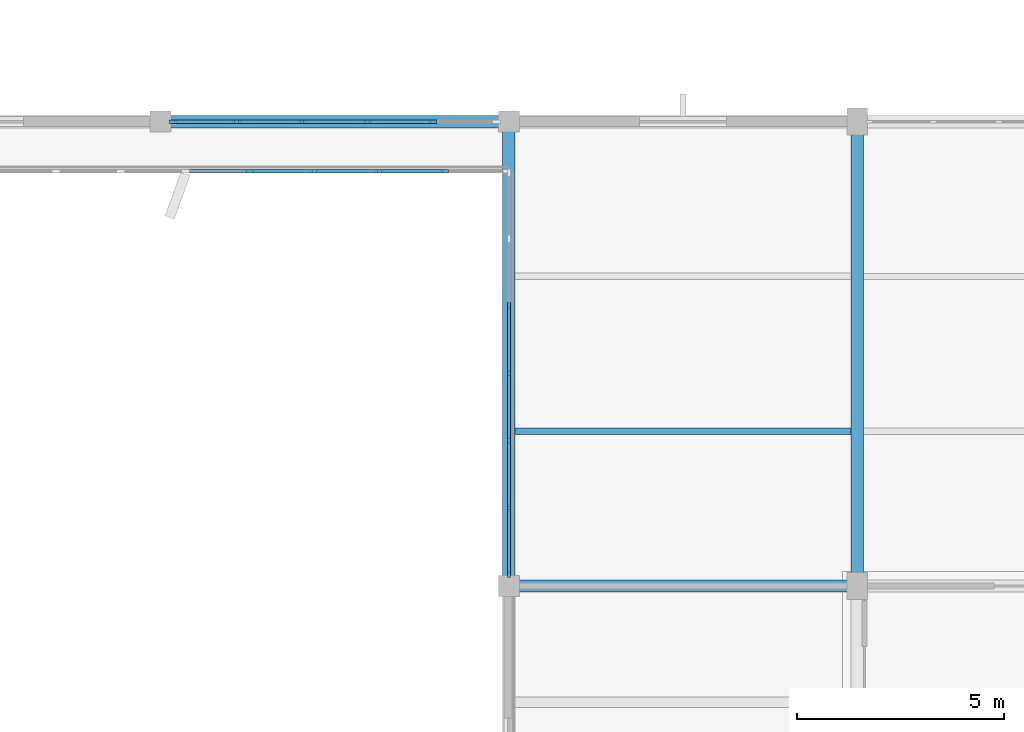
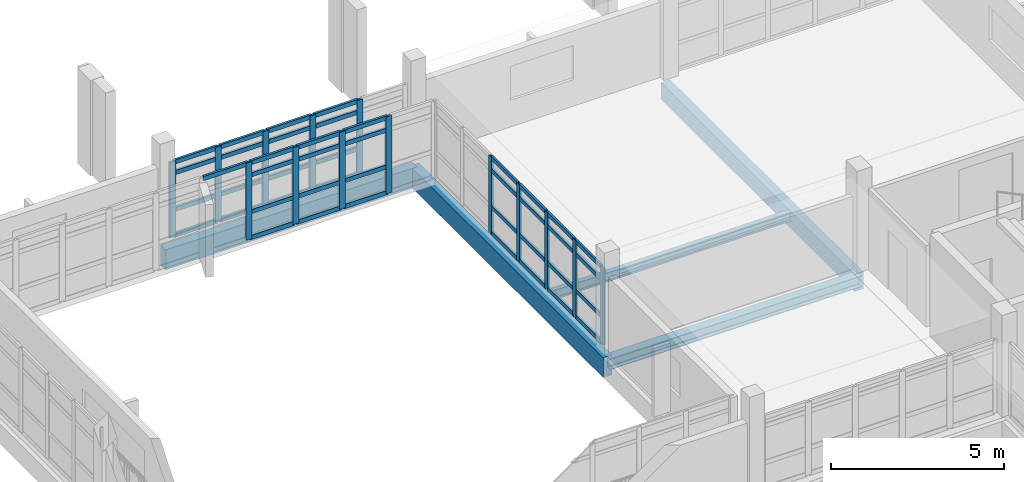
# One storey, part 35 of 104: 59 members, 5 beams, 3 elements without a shape of their own.
"""IFC4 building model written with IfcOpenShell, lengths in metres."""

from ifc_helpers import new_model, si_unit, direction, frame, origin, origin_2d, place, context, subcontext, project, spatial, rectangle, i_section, extrude, material, material_profile, profile_set, type_object, element, aggregate, save


model = new_model("IFC4")

# Units and contexts
model_context = context("Model", 3, precision=1e-05, world=origin(), true_north=direction((0.0, 1.0)))
body_context = subcontext(model_context, "Body", "Model", "MODEL_VIEW")
ifc_project = project(units=[si_unit("LENGTHUNIT", "METRE"), si_unit("AREAUNIT", "SQUARE_METRE"), si_unit("VOLUMEUNIT", "CUBIC_METRE"), si_unit("PLANEANGLEUNIT", "RADIAN"), si_unit("MASSUNIT", "GRAM", prefix="KILO")], contexts=[model_context])

# Site, building, storey
site_placement = place(None, origin())
site = spatial("IfcSite", under=ifc_project, at=site_placement, CompositionType="ELEMENT")
building_placement = place(site_placement, origin())
building = spatial("IfcBuilding", under=site, at=building_placement, Name="Vanh Quang Courtyard School", CompositionType="ELEMENT")
storey_placement = place(building_placement, frame((0.0, 0.0, 4.199951171875)))
storey = spatial("IfcBuildingStorey", under=building, at=storey_placement, Name="L01", CompositionType="ELEMENT", Elevation=4.199951171875)

# Beams
ifc_material_1 = material(Name="Concrete C35/45", Category="concrete")
ifc_material_profile_1 = material_profile(ifc_material_1, rectangle(XDim=0.300048828125, YDim=0.60009765625, at=origin_2d()), Name="RC-BM 300x600")
ifc_profile_set_1 = profile_set([ifc_material_profile_1], Name="Concrete C35/45")
beam_type_1 = type_object("IfcBeamType", Name="BM-RC-300x600", PredefinedType="BEAM", material=ifc_profile_set_1)
beam_1_placement = place(storey_placement, frame((29.39990234375, 96.60009765625, -0.579833984375), z_axis=(0.0, 1.0, 0.0), x_axis=(-1.0, 0.0, 0.0)))
element("IfcBeam", 1, at=beam_1_placement, inside=storey, type_object=beam_type_1, Name="Beam B-06 (L01)", PredefinedType="BEAM", context=body_context, shape_type="SweptSolid", body=[
    extrude(rectangle(XDim=0.300048828125, YDim=0.60009765625, at=origin_2d()), origin(), (0.0, 0.0, 1.0), 11.199951171875),
])
ifc_material_profile_2 = material_profile(ifc_material_1, rectangle(XDim=0.300048828125, YDim=0.699951171875, at=origin_2d()), Name="RC-SP 300x700")
ifc_profile_set_2 = profile_set([ifc_material_profile_2], Name="Concrete C35/45")
beam_type_2 = type_object("IfcBeamType", Name="BM-SP-300x700", PredefinedType="SPANDREL", material=ifc_profile_set_2)
beam_2_placement = place(storey_placement, frame((12.60009765625, 107.800048828125, -0.6298828125), z_axis=(1.0, 0.0, 0.0), x_axis=(0.0, 1.0, 0.0)))
element("IfcBeam", 2, at=beam_2_placement, inside=storey, type_object=beam_type_2, Name="Beam BS-01 (L01)", PredefinedType="SPANDREL", context=body_context, shape_type="SweptSolid", body=[
    extrude(rectangle(XDim=0.300048828125, YDim=0.699951171875, at=origin_2d()), origin(), (0.0, 0.0, 1.0), 8.39990234375),
])
beam_3_placement = place(storey_placement, frame((21.0, 96.60009765625, -0.6298828125), z_axis=(0.0, 1.0, 0.0), x_axis=(-1.0, 0.0, 0.0)))
element("IfcBeam", 3, at=beam_3_placement, inside=storey, type_object=beam_type_2, Name="Beam BS-01 (L01)", PredefinedType="SPANDREL", context=body_context, shape_type="SweptSolid", body=[
    extrude(rectangle(XDim=0.300048828125, YDim=0.699951171875, at=origin_2d()), origin(), (0.0, 0.0, 1.0), 11.199951171875),
])
ifc_material_2 = material(Name="Structural steel EN 10025-2 S355J2", Category="steel")
ifc_material_profile_3 = material_profile(ifc_material_2, i_section(OverallWidth=0.300048828125, OverallDepth=0.389892578125, WebThickness=0.010986328125, FlangeThickness=0.01904296875, FilletRadius=0.027099609375, at=origin_2d()), Name="HEA 400")
ifc_profile_set_3 = profile_set([ifc_material_profile_3], Name="Structural steel EN 10025-2 S355J2")
beam_type_3 = type_object("IfcBeamType", Name="BM-STL-HEA400", PredefinedType="BEAM", material=ifc_profile_set_3)
beam_4_placement = place(storey_placement, frame((21.0, 96.60009765625, -0.474853515625), z_axis=(1.0, 0.0, 0.0), x_axis=(0.0, 1.0, 0.0)))
element("IfcBeam", 4, at=beam_4_placement, inside=storey, type_object=beam_type_3, Name="Beam SB-08 (L01)", PredefinedType="BEAM", context=body_context, shape_type="SweptSolid", body=[
    extrude(i_section(OverallWidth=0.300048828125, OverallDepth=0.389892578125, WebThickness=0.010986328125, FlangeThickness=0.01904296875, FilletRadius=0.027099609375, at=origin_2d()), origin(), (0.0, 0.0, 1.0), 8.39990234375),
])

# Curtain wall, members
ifc_material_3 = material(Name="Thermally broken aluminium unitised curtain wall", Category="aluminium")
curtain_wall_type_1 = type_object("IfcCurtainWallType", Name="CW-SYS-36", PredefinedType="NOTDEFINED", material=ifc_material_3)
curtain_wall_1_placement = place(storey_placement, origin())
curtain_wall_1 = element("IfcCurtainWall", 5, at=curtain_wall_1_placement, inside=storey, type_object=curtain_wall_type_1, Name="Curtain Wall CW-36 (L01)", PredefinedType="NOTDEFINED")
ifc_material_4 = material(Name="Anodised aluminium 6063-T6", Category="aluminium")
ifc_material_profile_4 = material_profile(ifc_material_4, rectangle(XDim=0.070068359375, YDim=0.179931640625, at=origin_2d()), Name="ALU-MUL 70x180")
ifc_profile_set_4 = profile_set([ifc_material_profile_4], Name="Anodised aluminium 6063-T6")
member_type_1 = type_object("IfcMemberType", Name="CW-MUL-70x180", PredefinedType="MULLION", material=ifc_profile_set_4)
member_1_placement = place(storey_placement, frame((21.0, 96.89306640625, 0.0), z_axis=(0.0, 0.0, 1.0), x_axis=(-1.0, 0.0, 0.0)))
member_1 = element("IfcMember", 6, at=member_1_placement, type_object=member_type_1, Name="CW-36 mullion 1", PredefinedType="MULLION", context=body_context, shape_type="SweptSolid", body=[
    extrude(rectangle(XDim=0.070068359375, YDim=0.179931640625, at=origin_2d()), origin(), (0.0, 0.0, 1.0), 2.719970703125),
])
member_2_placement = place(storey_placement, frame((21.0, 98.481689453125, 0.0), z_axis=(0.0, 0.0, 1.0), x_axis=(-1.0, 0.0, 0.0)))
member_2 = element("IfcMember", 7, at=member_2_placement, type_object=member_type_1, Name="CW-36 mullion 2", PredefinedType="MULLION", context=body_context, shape_type="SweptSolid", body=[
    extrude(rectangle(XDim=0.070068359375, YDim=0.179931640625, at=origin_2d()), origin(), (0.0, 0.0, 1.0), 2.719970703125),
])
member_3_placement = place(storey_placement, frame((21.0, 100.105224609375, 0.0), z_axis=(0.0, 0.0, 1.0), x_axis=(-1.0, 0.0, 0.0)))
member_3 = element("IfcMember", 8, at=member_3_placement, type_object=member_type_1, Name="CW-36 mullion 3", PredefinedType="MULLION", context=body_context, shape_type="SweptSolid", body=[
    extrude(rectangle(XDim=0.070068359375, YDim=0.179931640625, at=origin_2d()), origin(), (0.0, 0.0, 1.0), 2.719970703125),
])
member_4_placement = place(storey_placement, frame((21.0, 101.72900390625, 0.0), z_axis=(0.0, 0.0, 1.0), x_axis=(-1.0, 0.0, 0.0)))
member_4 = element("IfcMember", 9, at=member_4_placement, type_object=member_type_1, Name="CW-36 mullion 4", PredefinedType="MULLION", context=body_context, shape_type="SweptSolid", body=[
    extrude(rectangle(XDim=0.070068359375, YDim=0.179931640625, at=origin_2d()), origin(), (0.0, 0.0, 1.0), 2.719970703125),
])
member_5_placement = place(storey_placement, frame((21.0, 103.352783203125, 0.0), z_axis=(0.0, 0.0, 1.0), x_axis=(-1.0, 0.0, 0.0)))
member_5 = element("IfcMember", 10, at=member_5_placement, type_object=member_type_1, Name="CW-36 mullion 5", PredefinedType="MULLION", context=body_context, shape_type="SweptSolid", body=[
    extrude(rectangle(XDim=0.070068359375, YDim=0.179931640625, at=origin_2d()), origin(), (0.0, 0.0, 1.0), 2.719970703125),
])

curtain_wall_type_2 = type_object("IfcCurtainWallType", Name="CW-SYS-23", PredefinedType="NOTDEFINED", material=ifc_material_3)
curtain_wall_2_placement = place(storey_placement, origin())
curtain_wall_2 = element("IfcCurtainWall", 11, at=curtain_wall_2_placement, inside=storey, type_object=curtain_wall_type_2, Name="Curtain Wall CW-23 (L01)", PredefinedType="NOTDEFINED")
ifc_material_profile_5 = material_profile(ifc_material_4, rectangle(XDim=0.080078125, YDim=0.199951171875, at=origin_2d()), Name="ALU-MUL 80x200")
ifc_profile_set_5 = profile_set([ifc_material_profile_5], Name="Anodised aluminium 6063-T6")
member_type_2 = type_object("IfcMemberType", Name="CW-MUL-80x200", PredefinedType="MULLION", material=ifc_profile_set_5)
member_6_placement = place(storey_placement, frame((12.89794921875, 107.800048828125, 0.0), z_axis=(0.0, 0.0, 1.0), x_axis=(0.0, 1.0, 0.0)))
member_6 = element("IfcMember", 12, at=member_6_placement, type_object=member_type_2, Name="CW-23 mullion 1", PredefinedType="MULLION", context=body_context, shape_type="SweptSolid", body=[
    extrude(rectangle(XDim=0.080078125, YDim=0.199951171875, at=origin_2d()), origin(), (0.0, 0.0, 1.0), 2.670166015625),
])
member_7_placement = place(storey_placement, frame((14.434814453125, 107.800048828125, 0.0), z_axis=(0.0, 0.0, 1.0), x_axis=(0.0, 1.0, 0.0)))
member_7 = element("IfcMember", 13, at=member_7_placement, type_object=member_type_2, Name="CW-23 mullion 2", PredefinedType="MULLION", context=body_context, shape_type="SweptSolid", body=[
    extrude(rectangle(XDim=0.080078125, YDim=0.199951171875, at=origin_2d()), origin(), (0.0, 0.0, 1.0), 2.670166015625),
])
member_8_placement = place(storey_placement, frame((16.01171875, 107.800048828125, 0.0), z_axis=(0.0, 0.0, 1.0), x_axis=(0.0, 1.0, 0.0)))
member_8 = element("IfcMember", 14, at=member_8_placement, type_object=member_type_2, Name="CW-23 mullion 3", PredefinedType="MULLION", context=body_context, shape_type="SweptSolid", body=[
    extrude(rectangle(XDim=0.080078125, YDim=0.199951171875, at=origin_2d()), origin(), (0.0, 0.0, 1.0), 2.670166015625),
])
member_9_placement = place(storey_placement, frame((17.58837890625, 107.800048828125, 0.0), z_axis=(0.0, 0.0, 1.0), x_axis=(0.0, 1.0, 0.0)))
member_9 = element("IfcMember", 15, at=member_9_placement, type_object=member_type_2, Name="CW-23 mullion 4", PredefinedType="MULLION", context=body_context, shape_type="SweptSolid", body=[
    extrude(rectangle(XDim=0.080078125, YDim=0.199951171875, at=origin_2d()), origin(), (0.0, 0.0, 1.0), 2.670166015625),
])
member_10_placement = place(storey_placement, frame((19.165283203125, 107.800048828125, 0.0), z_axis=(0.0, 0.0, 1.0), x_axis=(0.0, 1.0, 0.0)))
member_10 = element("IfcMember", 16, at=member_10_placement, type_object=member_type_2, Name="CW-23 mullion 5", PredefinedType="MULLION", context=body_context, shape_type="SweptSolid", body=[
    extrude(rectangle(XDim=0.080078125, YDim=0.199951171875, at=origin_2d()), origin(), (0.0, 0.0, 1.0), 2.670166015625),
])

curtain_wall_type_3 = type_object("IfcCurtainWallType", Name="CW-SYS-35", PredefinedType="NOTDEFINED", material=ifc_material_3)
curtain_wall_3_placement = place(storey_placement, origin())
curtain_wall_3 = element("IfcCurtainWall", 17, at=curtain_wall_3_placement, inside=storey, type_object=curtain_wall_type_3, Name="Curtain Wall CW-35 (L01)", PredefinedType="NOTDEFINED")
member_11_placement = place(storey_placement, frame((19.43994140625, 106.60009765625, 0.0), z_axis=(0.0, 0.0, 1.0), x_axis=(0.0, -1.0, 0.0)))
member_11 = element("IfcMember", 18, at=member_11_placement, type_object=member_type_2, Name="CW-35 mullion 2", PredefinedType="MULLION", context=body_context, shape_type="SweptSolid", body=[
    extrude(rectangle(XDim=0.080078125, YDim=0.199951171875, at=origin_2d()), origin(), (0.0, 0.0, 1.0), 2.719970703125),
])
member_12_placement = place(storey_placement, frame((17.8798828125, 106.60009765625, 0.0), z_axis=(0.0, 0.0, 1.0), x_axis=(0.0, -1.0, 0.0)))
member_12 = element("IfcMember", 19, at=member_12_placement, type_object=member_type_2, Name="CW-35 mullion 3", PredefinedType="MULLION", context=body_context, shape_type="SweptSolid", body=[
    extrude(rectangle(XDim=0.080078125, YDim=0.199951171875, at=origin_2d()), origin(), (0.0, 0.0, 1.0), 2.719970703125),
])
member_13_placement = place(storey_placement, frame((16.320068359375, 106.60009765625, 0.0), z_axis=(0.0, 0.0, 1.0), x_axis=(0.0, -1.0, 0.0)))
member_13 = element("IfcMember", 20, at=member_13_placement, type_object=member_type_2, Name="CW-35 mullion 4", PredefinedType="MULLION", context=body_context, shape_type="SweptSolid", body=[
    extrude(rectangle(XDim=0.080078125, YDim=0.199951171875, at=origin_2d()), origin(), (0.0, 0.0, 1.0), 2.719970703125),
])
member_14_placement = place(storey_placement, frame((14.760009765625, 106.60009765625, 0.0), z_axis=(0.0, 0.0, 1.0), x_axis=(0.0, -1.0, 0.0)))
member_14 = element("IfcMember", 21, at=member_14_placement, type_object=member_type_2, Name="CW-35 mullion 5", PredefinedType="MULLION", context=body_context, shape_type="SweptSolid", body=[
    extrude(rectangle(XDim=0.080078125, YDim=0.199951171875, at=origin_2d()), origin(), (0.0, 0.0, 1.0), 2.719970703125),
])

# Member
ifc_material_profile_6 = material_profile(ifc_material_4, rectangle(XDim=0.070068359375, YDim=0.139892578125, at=origin_2d()), Name="ALU-TRN 70x140")
ifc_profile_set_6 = profile_set([ifc_material_profile_6], Name="Anodised aluminium 6063-T6")
member_type_3 = type_object("IfcMemberType", Name="CW-TRN-70x140", PredefinedType="USERDEFINED", material=ifc_profile_set_6)
member_15_placement = place(storey_placement, frame((21.0, 96.927978515625, 0.03515625), z_axis=(0.0, 1.0, 0.0), x_axis=(-1.0, 0.0, 0.0)))
member_15 = element("IfcMember", 22, at=member_15_placement, type_object=member_type_3, Name="CW-36 transom 1.1", ObjectType="TRANSOM", PredefinedType="USERDEFINED", context=body_context, shape_type="SweptSolid", body=[
    extrude(rectangle(XDim=0.070068359375, YDim=0.139892578125, at=origin_2d()), origin(), (0.0, 0.0, 1.0), 1.518798828125),
])

member_16_placement = place(storey_placement, frame((21.0, 96.927978515625, 0.949951171875), z_axis=(0.0, 1.0, 0.0), x_axis=(-1.0, 0.0, 0.0)))
member_16 = element("IfcMember", 23, at=member_16_placement, type_object=member_type_3, Name="CW-36 transom 1.2", ObjectType="TRANSOM", PredefinedType="USERDEFINED", context=body_context, shape_type="SweptSolid", body=[
    extrude(rectangle(XDim=0.070068359375, YDim=0.139892578125, at=origin_2d()), origin(), (0.0, 0.0, 1.0), 1.518798828125),
])

member_17_placement = place(storey_placement, frame((21.0, 96.927978515625, 2.25), z_axis=(0.0, 1.0, 0.0), x_axis=(-1.0, 0.0, 0.0)))
member_17 = element("IfcMember", 24, at=member_17_placement, type_object=member_type_3, Name="CW-36 transom 1.3", ObjectType="TRANSOM", PredefinedType="USERDEFINED", context=body_context, shape_type="SweptSolid", body=[
    extrude(rectangle(XDim=0.070068359375, YDim=0.139892578125, at=origin_2d()), origin(), (0.0, 0.0, 1.0), 1.518798828125),
])

member_18_placement = place(storey_placement, frame((21.0, 96.927978515625, 2.68505859375), z_axis=(0.0, 1.0, 0.0), x_axis=(-1.0, 0.0, 0.0)))
member_18 = element("IfcMember", 25, at=member_18_placement, type_object=member_type_3, Name="CW-36 transom 1.4", ObjectType="TRANSOM", PredefinedType="USERDEFINED", context=body_context, shape_type="SweptSolid", body=[
    extrude(rectangle(XDim=0.070068359375, YDim=0.139892578125, at=origin_2d()), origin(), (0.0, 0.0, 1.0), 1.518798828125),
])

member_19_placement = place(storey_placement, frame((21.0, 98.5166015625, 0.03515625), z_axis=(0.0, 1.0, 0.0), x_axis=(-1.0, 0.0, 0.0)))
member_19 = element("IfcMember", 26, at=member_19_placement, type_object=member_type_3, Name="CW-36 transom 2.1", ObjectType="TRANSOM", PredefinedType="USERDEFINED", context=body_context, shape_type="SweptSolid", body=[
    extrude(rectangle(XDim=0.070068359375, YDim=0.139892578125, at=origin_2d()), origin(), (0.0, 0.0, 1.0), 1.5537109375),
])

member_20_placement = place(storey_placement, frame((21.0, 98.5166015625, 0.949951171875), z_axis=(0.0, 1.0, 0.0), x_axis=(-1.0, 0.0, 0.0)))
member_20 = element("IfcMember", 27, at=member_20_placement, type_object=member_type_3, Name="CW-36 transom 2.2", ObjectType="TRANSOM", PredefinedType="USERDEFINED", context=body_context, shape_type="SweptSolid", body=[
    extrude(rectangle(XDim=0.070068359375, YDim=0.139892578125, at=origin_2d()), origin(), (0.0, 0.0, 1.0), 1.5537109375),
])

member_21_placement = place(storey_placement, frame((21.0, 98.5166015625, 2.25), z_axis=(0.0, 1.0, 0.0), x_axis=(-1.0, 0.0, 0.0)))
member_21 = element("IfcMember", 28, at=member_21_placement, type_object=member_type_3, Name="CW-36 transom 2.3", ObjectType="TRANSOM", PredefinedType="USERDEFINED", context=body_context, shape_type="SweptSolid", body=[
    extrude(rectangle(XDim=0.070068359375, YDim=0.139892578125, at=origin_2d()), origin(), (0.0, 0.0, 1.0), 1.5537109375),
])

member_22_placement = place(storey_placement, frame((21.0, 98.5166015625, 2.68505859375), z_axis=(0.0, 1.0, 0.0), x_axis=(-1.0, 0.0, 0.0)))
member_22 = element("IfcMember", 29, at=member_22_placement, type_object=member_type_3, Name="CW-36 transom 2.4", ObjectType="TRANSOM", PredefinedType="USERDEFINED", context=body_context, shape_type="SweptSolid", body=[
    extrude(rectangle(XDim=0.070068359375, YDim=0.139892578125, at=origin_2d()), origin(), (0.0, 0.0, 1.0), 1.5537109375),
])

member_23_placement = place(storey_placement, frame((21.0, 100.140380859375, 0.03515625), z_axis=(0.0, 1.0, 0.0), x_axis=(-1.0, 0.0, 0.0)))
member_23 = element("IfcMember", 30, at=member_23_placement, type_object=member_type_3, Name="CW-36 transom 3.1", ObjectType="TRANSOM", PredefinedType="USERDEFINED", context=body_context, shape_type="SweptSolid", body=[
    extrude(rectangle(XDim=0.070068359375, YDim=0.139892578125, at=origin_2d()), origin(), (0.0, 0.0, 1.0), 1.5537109375),
])

member_24_placement = place(storey_placement, frame((21.0, 100.140380859375, 0.949951171875), z_axis=(0.0, 1.0, 0.0), x_axis=(-1.0, 0.0, 0.0)))
member_24 = element("IfcMember", 31, at=member_24_placement, type_object=member_type_3, Name="CW-36 transom 3.2", ObjectType="TRANSOM", PredefinedType="USERDEFINED", context=body_context, shape_type="SweptSolid", body=[
    extrude(rectangle(XDim=0.070068359375, YDim=0.139892578125, at=origin_2d()), origin(), (0.0, 0.0, 1.0), 1.5537109375),
])

member_25_placement = place(storey_placement, frame((21.0, 100.140380859375, 2.25), z_axis=(0.0, 1.0, 0.0), x_axis=(-1.0, 0.0, 0.0)))
member_25 = element("IfcMember", 32, at=member_25_placement, type_object=member_type_3, Name="CW-36 transom 3.3", ObjectType="TRANSOM", PredefinedType="USERDEFINED", context=body_context, shape_type="SweptSolid", body=[
    extrude(rectangle(XDim=0.070068359375, YDim=0.139892578125, at=origin_2d()), origin(), (0.0, 0.0, 1.0), 1.5537109375),
])

member_26_placement = place(storey_placement, frame((21.0, 100.140380859375, 2.68505859375), z_axis=(0.0, 1.0, 0.0), x_axis=(-1.0, 0.0, 0.0)))
member_26 = element("IfcMember", 33, at=member_26_placement, type_object=member_type_3, Name="CW-36 transom 3.4", ObjectType="TRANSOM", PredefinedType="USERDEFINED", context=body_context, shape_type="SweptSolid", body=[
    extrude(rectangle(XDim=0.070068359375, YDim=0.139892578125, at=origin_2d()), origin(), (0.0, 0.0, 1.0), 1.5537109375),
])

member_27_placement = place(storey_placement, frame((21.0, 101.763916015625, 0.03515625), z_axis=(0.0, 1.0, 0.0), x_axis=(-1.0, 0.0, 0.0)))
member_27 = element("IfcMember", 34, at=member_27_placement, type_object=member_type_3, Name="CW-36 transom 4.1", ObjectType="TRANSOM", PredefinedType="USERDEFINED", context=body_context, shape_type="SweptSolid", body=[
    extrude(rectangle(XDim=0.070068359375, YDim=0.139892578125, at=origin_2d()), origin(), (0.0, 0.0, 1.0), 1.5537109375),
])

member_28_placement = place(storey_placement, frame((21.0, 101.763916015625, 0.949951171875), z_axis=(0.0, 1.0, 0.0), x_axis=(-1.0, 0.0, 0.0)))
member_28 = element("IfcMember", 35, at=member_28_placement, type_object=member_type_3, Name="CW-36 transom 4.2", ObjectType="TRANSOM", PredefinedType="USERDEFINED", context=body_context, shape_type="SweptSolid", body=[
    extrude(rectangle(XDim=0.070068359375, YDim=0.139892578125, at=origin_2d()), origin(), (0.0, 0.0, 1.0), 1.5537109375),
])

member_29_placement = place(storey_placement, frame((21.0, 101.763916015625, 2.25), z_axis=(0.0, 1.0, 0.0), x_axis=(-1.0, 0.0, 0.0)))
member_29 = element("IfcMember", 36, at=member_29_placement, type_object=member_type_3, Name="CW-36 transom 4.3", ObjectType="TRANSOM", PredefinedType="USERDEFINED", context=body_context, shape_type="SweptSolid", body=[
    extrude(rectangle(XDim=0.070068359375, YDim=0.139892578125, at=origin_2d()), origin(), (0.0, 0.0, 1.0), 1.5537109375),
])

member_30_placement = place(storey_placement, frame((21.0, 101.763916015625, 2.68505859375), z_axis=(0.0, 1.0, 0.0), x_axis=(-1.0, 0.0, 0.0)))
member_30 = element("IfcMember", 37, at=member_30_placement, type_object=member_type_3, Name="CW-36 transom 4.4", ObjectType="TRANSOM", PredefinedType="USERDEFINED", context=body_context, shape_type="SweptSolid", body=[
    extrude(rectangle(XDim=0.070068359375, YDim=0.139892578125, at=origin_2d()), origin(), (0.0, 0.0, 1.0), 1.5537109375),
])

aggregate(curtain_wall_1, [member_1, member_2, member_3, member_4, member_5, member_15, member_16, member_17, member_18, member_19, member_20, member_21, member_22, member_23, member_24, member_25, member_26, member_27, member_28, member_29, member_30])

ifc_material_profile_7 = material_profile(ifc_material_4, rectangle(XDim=0.080078125, YDim=0.14990234375, at=origin_2d()), Name="ALU-TRN 80x150")
ifc_profile_set_7 = profile_set([ifc_material_profile_7], Name="Anodised aluminium 6063-T6")
member_type_4 = type_object("IfcMemberType", Name="CW-TRN-80x150", PredefinedType="USERDEFINED", material=ifc_profile_set_7)
member_31_placement = place(storey_placement, frame((12.93798828125, 107.800048828125, 0.0400390625), z_axis=(1.0, 0.0, 0.0), x_axis=(0.0, 1.0, 0.0)))
member_31 = element("IfcMember", 38, at=member_31_placement, type_object=member_type_4, Name="CW-23 transom 1.1", ObjectType="TRANSOM", PredefinedType="USERDEFINED", context=body_context, shape_type="SweptSolid", body=[
    extrude(rectangle(XDim=0.080078125, YDim=0.14990234375, at=origin_2d()), origin(), (0.0, 0.0, 1.0), 1.456787109375),
])

member_32_placement = place(storey_placement, frame((12.93798828125, 107.800048828125, 0.949951171875), z_axis=(1.0, 0.0, 0.0), x_axis=(0.0, 1.0, 0.0)))
member_32 = element("IfcMember", 39, at=member_32_placement, type_object=member_type_4, Name="CW-23 transom 1.2", ObjectType="TRANSOM", PredefinedType="USERDEFINED", context=body_context, shape_type="SweptSolid", body=[
    extrude(rectangle(XDim=0.080078125, YDim=0.14990234375, at=origin_2d()), origin(), (0.0, 0.0, 1.0), 1.456787109375),
])

member_33_placement = place(storey_placement, frame((12.93798828125, 107.800048828125, 2.25), z_axis=(1.0, 0.0, 0.0), x_axis=(0.0, 1.0, 0.0)))
member_33 = element("IfcMember", 40, at=member_33_placement, type_object=member_type_4, Name="CW-23 transom 1.3", ObjectType="TRANSOM", PredefinedType="USERDEFINED", context=body_context, shape_type="SweptSolid", body=[
    extrude(rectangle(XDim=0.080078125, YDim=0.14990234375, at=origin_2d()), origin(), (0.0, 0.0, 1.0), 1.456787109375),
])

member_34_placement = place(storey_placement, frame((12.93798828125, 107.800048828125, 2.630126953125), z_axis=(1.0, 0.0, 0.0), x_axis=(0.0, 1.0, 0.0)))
member_34 = element("IfcMember", 41, at=member_34_placement, type_object=member_type_4, Name="CW-23 transom 1.4", ObjectType="TRANSOM", PredefinedType="USERDEFINED", context=body_context, shape_type="SweptSolid", body=[
    extrude(rectangle(XDim=0.080078125, YDim=0.14990234375, at=origin_2d()), origin(), (0.0, 0.0, 1.0), 1.456787109375),
])

member_35_placement = place(storey_placement, frame((14.474853515625, 107.800048828125, 0.0400390625), z_axis=(1.0, 0.0, 0.0), x_axis=(0.0, 1.0, 0.0)))
member_35 = element("IfcMember", 42, at=member_35_placement, type_object=member_type_4, Name="CW-23 transom 2.1", ObjectType="TRANSOM", PredefinedType="USERDEFINED", context=body_context, shape_type="SweptSolid", body=[
    extrude(rectangle(XDim=0.080078125, YDim=0.14990234375, at=origin_2d()), origin(), (0.0, 0.0, 1.0), 1.496826171875),
])

member_36_placement = place(storey_placement, frame((14.474853515625, 107.800048828125, 0.949951171875), z_axis=(1.0, 0.0, 0.0), x_axis=(0.0, 1.0, 0.0)))
member_36 = element("IfcMember", 43, at=member_36_placement, type_object=member_type_4, Name="CW-23 transom 2.2", ObjectType="TRANSOM", PredefinedType="USERDEFINED", context=body_context, shape_type="SweptSolid", body=[
    extrude(rectangle(XDim=0.080078125, YDim=0.14990234375, at=origin_2d()), origin(), (0.0, 0.0, 1.0), 1.496826171875),
])

member_37_placement = place(storey_placement, frame((14.474853515625, 107.800048828125, 2.25), z_axis=(1.0, 0.0, 0.0), x_axis=(0.0, 1.0, 0.0)))
member_37 = element("IfcMember", 44, at=member_37_placement, type_object=member_type_4, Name="CW-23 transom 2.3", ObjectType="TRANSOM", PredefinedType="USERDEFINED", context=body_context, shape_type="SweptSolid", body=[
    extrude(rectangle(XDim=0.080078125, YDim=0.14990234375, at=origin_2d()), origin(), (0.0, 0.0, 1.0), 1.496826171875),
])

member_38_placement = place(storey_placement, frame((14.474853515625, 107.800048828125, 2.630126953125), z_axis=(1.0, 0.0, 0.0), x_axis=(0.0, 1.0, 0.0)))
member_38 = element("IfcMember", 45, at=member_38_placement, type_object=member_type_4, Name="CW-23 transom 2.4", ObjectType="TRANSOM", PredefinedType="USERDEFINED", context=body_context, shape_type="SweptSolid", body=[
    extrude(rectangle(XDim=0.080078125, YDim=0.14990234375, at=origin_2d()), origin(), (0.0, 0.0, 1.0), 1.496826171875),
])

member_39_placement = place(storey_placement, frame((16.051513671875, 107.800048828125, 0.0400390625), z_axis=(1.0, 0.0, 0.0), x_axis=(0.0, 1.0, 0.0)))
member_39 = element("IfcMember", 46, at=member_39_placement, type_object=member_type_4, Name="CW-23 transom 3.1", ObjectType="TRANSOM", PredefinedType="USERDEFINED", context=body_context, shape_type="SweptSolid", body=[
    extrude(rectangle(XDim=0.080078125, YDim=0.14990234375, at=origin_2d()), origin(), (0.0, 0.0, 1.0), 1.496826171875),
])

member_40_placement = place(storey_placement, frame((16.051513671875, 107.800048828125, 0.949951171875), z_axis=(1.0, 0.0, 0.0), x_axis=(0.0, 1.0, 0.0)))
member_40 = element("IfcMember", 47, at=member_40_placement, type_object=member_type_4, Name="CW-23 transom 3.2", ObjectType="TRANSOM", PredefinedType="USERDEFINED", context=body_context, shape_type="SweptSolid", body=[
    extrude(rectangle(XDim=0.080078125, YDim=0.14990234375, at=origin_2d()), origin(), (0.0, 0.0, 1.0), 1.496826171875),
])

member_41_placement = place(storey_placement, frame((16.051513671875, 107.800048828125, 2.25), z_axis=(1.0, 0.0, 0.0), x_axis=(0.0, 1.0, 0.0)))
member_41 = element("IfcMember", 48, at=member_41_placement, type_object=member_type_4, Name="CW-23 transom 3.3", ObjectType="TRANSOM", PredefinedType="USERDEFINED", context=body_context, shape_type="SweptSolid", body=[
    extrude(rectangle(XDim=0.080078125, YDim=0.14990234375, at=origin_2d()), origin(), (0.0, 0.0, 1.0), 1.496826171875),
])

member_42_placement = place(storey_placement, frame((16.051513671875, 107.800048828125, 2.630126953125), z_axis=(1.0, 0.0, 0.0), x_axis=(0.0, 1.0, 0.0)))
member_42 = element("IfcMember", 49, at=member_42_placement, type_object=member_type_4, Name="CW-23 transom 3.4", ObjectType="TRANSOM", PredefinedType="USERDEFINED", context=body_context, shape_type="SweptSolid", body=[
    extrude(rectangle(XDim=0.080078125, YDim=0.14990234375, at=origin_2d()), origin(), (0.0, 0.0, 1.0), 1.496826171875),
])

member_43_placement = place(storey_placement, frame((17.62841796875, 107.800048828125, 0.0400390625), z_axis=(1.0, 0.0, 0.0), x_axis=(0.0, 1.0, 0.0)))
member_43 = element("IfcMember", 50, at=member_43_placement, type_object=member_type_4, Name="CW-23 transom 4.1", ObjectType="TRANSOM", PredefinedType="USERDEFINED", context=body_context, shape_type="SweptSolid", body=[
    extrude(rectangle(XDim=0.080078125, YDim=0.14990234375, at=origin_2d()), origin(), (0.0, 0.0, 1.0), 1.496826171875),
])

member_44_placement = place(storey_placement, frame((17.62841796875, 107.800048828125, 0.949951171875), z_axis=(1.0, 0.0, 0.0), x_axis=(0.0, 1.0, 0.0)))
member_44 = element("IfcMember", 51, at=member_44_placement, type_object=member_type_4, Name="CW-23 transom 4.2", ObjectType="TRANSOM", PredefinedType="USERDEFINED", context=body_context, shape_type="SweptSolid", body=[
    extrude(rectangle(XDim=0.080078125, YDim=0.14990234375, at=origin_2d()), origin(), (0.0, 0.0, 1.0), 1.496826171875),
])

member_45_placement = place(storey_placement, frame((17.62841796875, 107.800048828125, 2.25), z_axis=(1.0, 0.0, 0.0), x_axis=(0.0, 1.0, 0.0)))
member_45 = element("IfcMember", 52, at=member_45_placement, type_object=member_type_4, Name="CW-23 transom 4.3", ObjectType="TRANSOM", PredefinedType="USERDEFINED", context=body_context, shape_type="SweptSolid", body=[
    extrude(rectangle(XDim=0.080078125, YDim=0.14990234375, at=origin_2d()), origin(), (0.0, 0.0, 1.0), 1.496826171875),
])

member_46_placement = place(storey_placement, frame((17.62841796875, 107.800048828125, 2.630126953125), z_axis=(1.0, 0.0, 0.0), x_axis=(0.0, 1.0, 0.0)))
member_46 = element("IfcMember", 53, at=member_46_placement, type_object=member_type_4, Name="CW-23 transom 4.4", ObjectType="TRANSOM", PredefinedType="USERDEFINED", context=body_context, shape_type="SweptSolid", body=[
    extrude(rectangle(XDim=0.080078125, YDim=0.14990234375, at=origin_2d()), origin(), (0.0, 0.0, 1.0), 1.496826171875),
])

aggregate(curtain_wall_2, [member_6, member_7, member_8, member_9, member_10, member_31, member_32, member_33, member_34, member_35, member_36, member_37, member_38, member_39, member_40, member_41, member_42, member_43, member_44, member_45, member_46])

member_47_placement = place(storey_placement, frame((19.39990234375, 106.60009765625, 0.0400390625), z_axis=(-1.0, 0.0, 0.0), x_axis=(0.0, -1.0, 0.0)))
member_47 = element("IfcMember", 54, at=member_47_placement, type_object=member_type_4, Name="CW-35 transom 2.1", ObjectType="TRANSOM", PredefinedType="USERDEFINED", context=body_context, shape_type="SweptSolid", body=[
    extrude(rectangle(XDim=0.080078125, YDim=0.14990234375, at=origin_2d()), origin(), (0.0, 0.0, 1.0), 1.47998046875),
])

member_48_placement = place(storey_placement, frame((19.39990234375, 106.60009765625, 0.949951171875), z_axis=(-1.0, 0.0, 0.0), x_axis=(0.0, -1.0, 0.0)))
member_48 = element("IfcMember", 55, at=member_48_placement, type_object=member_type_4, Name="CW-35 transom 2.2", ObjectType="TRANSOM", PredefinedType="USERDEFINED", context=body_context, shape_type="SweptSolid", body=[
    extrude(rectangle(XDim=0.080078125, YDim=0.14990234375, at=origin_2d()), origin(), (0.0, 0.0, 1.0), 1.47998046875),
])

member_49_placement = place(storey_placement, frame((19.39990234375, 106.60009765625, 2.25), z_axis=(-1.0, 0.0, 0.0), x_axis=(0.0, -1.0, 0.0)))
member_49 = element("IfcMember", 56, at=member_49_placement, type_object=member_type_4, Name="CW-35 transom 2.3", ObjectType="TRANSOM", PredefinedType="USERDEFINED", context=body_context, shape_type="SweptSolid", body=[
    extrude(rectangle(XDim=0.080078125, YDim=0.14990234375, at=origin_2d()), origin(), (0.0, 0.0, 1.0), 1.47998046875),
])

member_50_placement = place(storey_placement, frame((19.39990234375, 106.60009765625, 2.679931640625), z_axis=(-1.0, 0.0, 0.0), x_axis=(0.0, -1.0, 0.0)))
member_50 = element("IfcMember", 57, at=member_50_placement, type_object=member_type_4, Name="CW-35 transom 2.4", ObjectType="TRANSOM", PredefinedType="USERDEFINED", context=body_context, shape_type="SweptSolid", body=[
    extrude(rectangle(XDim=0.080078125, YDim=0.14990234375, at=origin_2d()), origin(), (0.0, 0.0, 1.0), 1.47998046875),
])

member_51_placement = place(storey_placement, frame((17.840087890625, 106.60009765625, 0.0400390625), z_axis=(-1.0, 0.0, 0.0), x_axis=(0.0, -1.0, 0.0)))
member_51 = element("IfcMember", 58, at=member_51_placement, type_object=member_type_4, Name="CW-35 transom 3.1", ObjectType="TRANSOM", PredefinedType="USERDEFINED", context=body_context, shape_type="SweptSolid", body=[
    extrude(rectangle(XDim=0.080078125, YDim=0.14990234375, at=origin_2d()), origin(), (0.0, 0.0, 1.0), 1.47998046875),
])

member_52_placement = place(storey_placement, frame((17.840087890625, 106.60009765625, 0.949951171875), z_axis=(-1.0, 0.0, 0.0), x_axis=(0.0, -1.0, 0.0)))
member_52 = element("IfcMember", 59, at=member_52_placement, type_object=member_type_4, Name="CW-35 transom 3.2", ObjectType="TRANSOM", PredefinedType="USERDEFINED", context=body_context, shape_type="SweptSolid", body=[
    extrude(rectangle(XDim=0.080078125, YDim=0.14990234375, at=origin_2d()), origin(), (0.0, 0.0, 1.0), 1.47998046875),
])

member_53_placement = place(storey_placement, frame((17.840087890625, 106.60009765625, 2.25), z_axis=(-1.0, 0.0, 0.0), x_axis=(0.0, -1.0, 0.0)))
member_53 = element("IfcMember", 60, at=member_53_placement, type_object=member_type_4, Name="CW-35 transom 3.3", ObjectType="TRANSOM", PredefinedType="USERDEFINED", context=body_context, shape_type="SweptSolid", body=[
    extrude(rectangle(XDim=0.080078125, YDim=0.14990234375, at=origin_2d()), origin(), (0.0, 0.0, 1.0), 1.47998046875),
])

member_54_placement = place(storey_placement, frame((17.840087890625, 106.60009765625, 2.679931640625), z_axis=(-1.0, 0.0, 0.0), x_axis=(0.0, -1.0, 0.0)))
member_54 = element("IfcMember", 61, at=member_54_placement, type_object=member_type_4, Name="CW-35 transom 3.4", ObjectType="TRANSOM", PredefinedType="USERDEFINED", context=body_context, shape_type="SweptSolid", body=[
    extrude(rectangle(XDim=0.080078125, YDim=0.14990234375, at=origin_2d()), origin(), (0.0, 0.0, 1.0), 1.47998046875),
])

member_55_placement = place(storey_placement, frame((16.280029296875, 106.60009765625, 0.0400390625), z_axis=(-1.0, 0.0, 0.0), x_axis=(0.0, -1.0, 0.0)))
member_55 = element("IfcMember", 62, at=member_55_placement, type_object=member_type_4, Name="CW-35 transom 4.1", ObjectType="TRANSOM", PredefinedType="USERDEFINED", context=body_context, shape_type="SweptSolid", body=[
    extrude(rectangle(XDim=0.080078125, YDim=0.14990234375, at=origin_2d()), origin(), (0.0, 0.0, 1.0), 1.47998046875),
])

member_56_placement = place(storey_placement, frame((16.280029296875, 106.60009765625, 0.949951171875), z_axis=(-1.0, 0.0, 0.0), x_axis=(0.0, -1.0, 0.0)))
member_56 = element("IfcMember", 63, at=member_56_placement, type_object=member_type_4, Name="CW-35 transom 4.2", ObjectType="TRANSOM", PredefinedType="USERDEFINED", context=body_context, shape_type="SweptSolid", body=[
    extrude(rectangle(XDim=0.080078125, YDim=0.14990234375, at=origin_2d()), origin(), (0.0, 0.0, 1.0), 1.47998046875),
])

member_57_placement = place(storey_placement, frame((16.280029296875, 106.60009765625, 2.25), z_axis=(-1.0, 0.0, 0.0), x_axis=(0.0, -1.0, 0.0)))
member_57 = element("IfcMember", 64, at=member_57_placement, type_object=member_type_4, Name="CW-35 transom 4.3", ObjectType="TRANSOM", PredefinedType="USERDEFINED", context=body_context, shape_type="SweptSolid", body=[
    extrude(rectangle(XDim=0.080078125, YDim=0.14990234375, at=origin_2d()), origin(), (0.0, 0.0, 1.0), 1.47998046875),
])

member_58_placement = place(storey_placement, frame((16.280029296875, 106.60009765625, 2.679931640625), z_axis=(-1.0, 0.0, 0.0), x_axis=(0.0, -1.0, 0.0)))
member_58 = element("IfcMember", 65, at=member_58_placement, type_object=member_type_4, Name="CW-35 transom 4.4", ObjectType="TRANSOM", PredefinedType="USERDEFINED", context=body_context, shape_type="SweptSolid", body=[
    extrude(rectangle(XDim=0.080078125, YDim=0.14990234375, at=origin_2d()), origin(), (0.0, 0.0, 1.0), 1.47998046875),
])

member_59_placement = place(storey_placement, frame((14.719970703125, 106.60009765625, 2.679931640625), z_axis=(-1.0, 0.0, 0.0), x_axis=(0.0, -1.0, 0.0)))
member_59 = element("IfcMember", 66, at=member_59_placement, type_object=member_type_4, Name="CW-35 transom 5.4", ObjectType="TRANSOM", PredefinedType="USERDEFINED", context=body_context, shape_type="SweptSolid", body=[
    extrude(rectangle(XDim=0.080078125, YDim=0.14990234375, at=origin_2d()), origin(), (0.0, 0.0, 1.0), 1.47998046875),
])

aggregate(curtain_wall_3, [member_11, member_12, member_13, member_14, member_47, member_48, member_49, member_50, member_51, member_52, member_53, member_54, member_55, member_56, member_57, member_58, member_59])

# Beam
ifc_material_profile_8 = material_profile(ifc_material_2, i_section(OverallWidth=0.159912109375, OverallDepth=0.330078125, WebThickness=0.007568359375, FlangeThickness=0.011474609375, FilletRadius=0.01806640625, at=origin_2d()), Name="IPE 330")
ifc_profile_set_8 = profile_set([ifc_material_profile_8], Name="Structural steel EN 10025-2 S355J2")
beam_type_4 = type_object("IfcBeamType", Name="JST-STL-IPE330", PredefinedType="JOIST", material=ifc_profile_set_8)
beam_5_placement = place(storey_placement, frame((21.14990234375, 100.333251953125, -0.445068359375), z_axis=(1.0, 0.0, 0.0), x_axis=(0.0, 1.0, 0.0)))
element("IfcBeam", 67, at=beam_5_placement, inside=storey, type_object=beam_type_4, Name="Beam SJ-01 (L01)", PredefinedType="JOIST", context=body_context, shape_type="SweptSolid", body=[
    extrude(i_section(OverallWidth=0.159912109375, OverallDepth=0.330078125, WebThickness=0.007568359375, FlangeThickness=0.011474609375, FilletRadius=0.01806640625, at=origin_2d()), origin(), (0.0, 0.0, 1.0), 8.10009765625),
])

save(model, "model.ifc")
